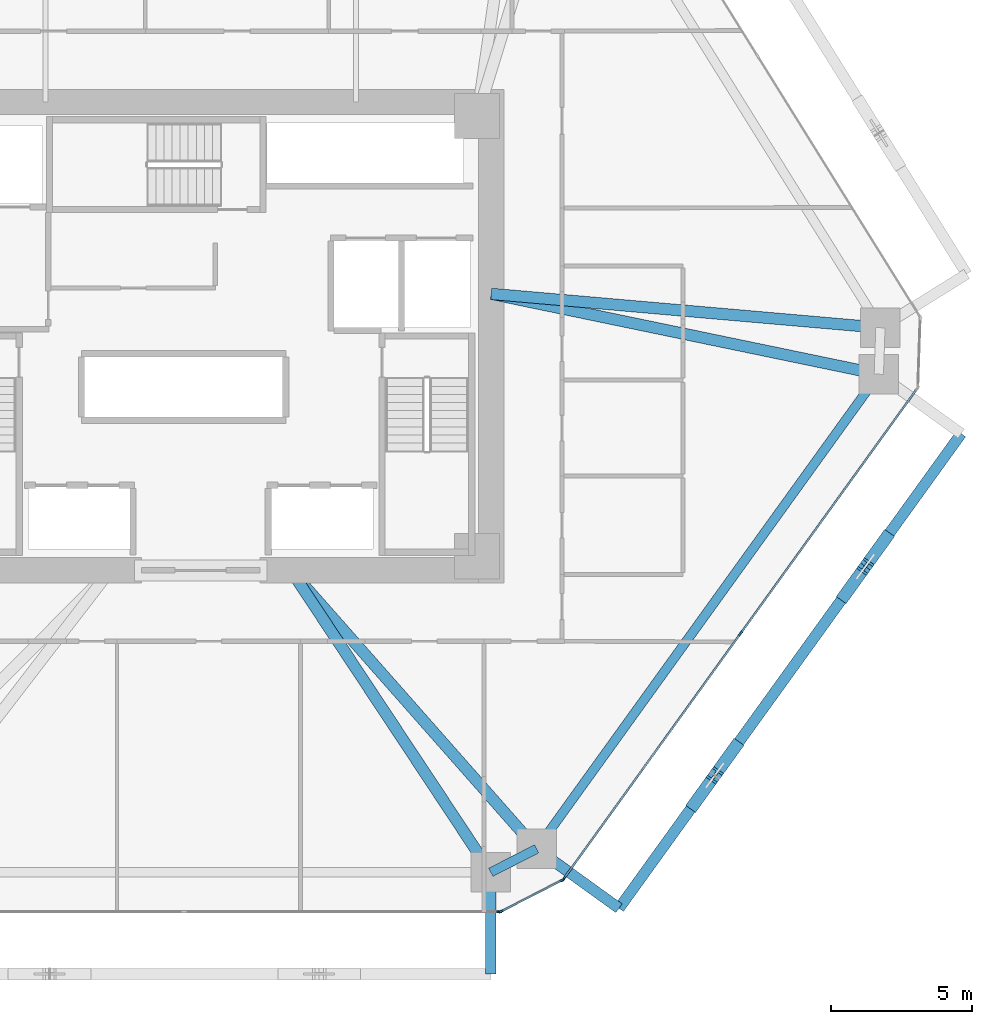
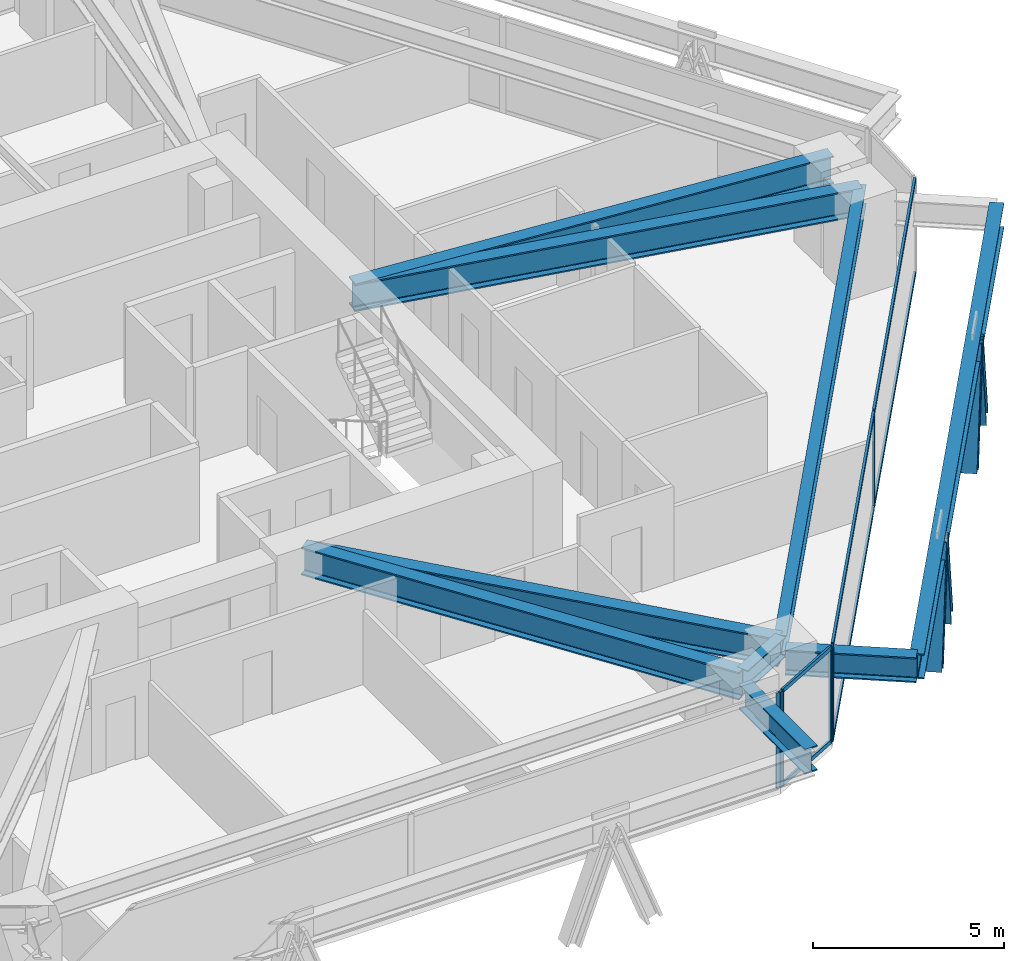
# One storey, part 5 of 17: 15 members, 9 beams, 3 elements without a shape of their own.
"""IFC4 building model written with IfcOpenShell, lengths in metres."""

from ifc_helpers import new_model, si_unit, direction, frame, origin, origin_2d, place, context, subcontext, project, spatial, rectangle, i_section, extrude, source, transform, mapped, material, layer, layer_set, material_profile, profile_set, type_object, type_shapes, element, aggregate, save


model = new_model("IFC4")

# Units and contexts
model_context = context("Model", 3, precision=1e-05, world=origin(), true_north=direction((0.0, 1.0)))
body_context = subcontext(model_context, "Body", "Model", "MODEL_VIEW")
ifc_project = project(units=[si_unit("LENGTHUNIT", "METRE"), si_unit("AREAUNIT", "SQUARE_METRE"), si_unit("VOLUMEUNIT", "CUBIC_METRE"), si_unit("PLANEANGLEUNIT", "RADIAN"), si_unit("MASSUNIT", "GRAM", prefix="KILO")], contexts=[model_context])

# Site, building, storey
site_placement = place(None, origin())
site = spatial("IfcSite", under=ifc_project, at=site_placement, CompositionType="ELEMENT")
building_placement = place(site_placement, origin())
building = spatial("IfcBuilding", under=site, at=building_placement, Name="Durnholm Broadcast Tower", CompositionType="ELEMENT")
storey_placement = place(building_placement, frame((0.0, 0.0, 45.60009765625)))
storey = spatial("IfcBuildingStorey", under=building, at=storey_placement, Name="L10", CompositionType="ELEMENT", Elevation=45.60009765625)

# Beams
ifc_material_1 = material(Name="Steel ASTM A992 Grade 50", Category="steel")
ifc_material_profile_1 = material_profile(ifc_material_1, i_section(OverallWidth=0.3291015625, OverallDepth=0.635009765625, WebThickness=0.017822265625, FlangeThickness=0.031005859375, FilletRadius=0.02783203125, at=origin_2d()), Name="W24X162")
ifc_profile_set_1 = profile_set([ifc_material_profile_1], Name="Steel ASTM A992 Grade 50")
beam_type_1 = type_object("IfcBeamType", Name="STL-SP-W24X162", PredefinedType="SPANDREL", material=ifc_profile_set_1)
shared_shape_1 = source(origin(), body_context, "Body", "SweptSolid", [
    extrude(i_section(OverallWidth=0.3291015625, OverallDepth=0.635009765625, WebThickness=0.017822265625, FlangeThickness=0.031005859375, FilletRadius=0.02783203125, at=origin_2d()), origin(), (0.0, 0.0, 1.0), 20.737060546875),
])
beam_1_placement = place(storey_placement, frame((24.034912109375, -1.347412109375, 2.727294921875), z_axis=(-0.584821933191, -0.811161701795, 0.0), x_axis=(0.811161701795, -0.584821933191, 0.0)))
element("IfcBeam", 1, at=beam_1_placement, inside=storey, type_object=beam_type_1, Name="L10 perimeter spandrel girder 09", PredefinedType="SPANDREL", context=body_context, shape_type="MappedRepresentation", body=[
    mapped(shared_shape_1, transform((0.0, 0.0, 0.0), x_axis=(1.0, 0.0, 0.0), y_axis=(0.0, 1.0, 0.0), z_axis=(0.0, 0.0, 1.0), scale=1.0)),
])
shared_shape_2 = source(origin(), body_context, "Body", "SweptSolid", [
    extrude(i_section(OverallWidth=0.3291015625, OverallDepth=0.635009765625, WebThickness=0.017822265625, FlangeThickness=0.031005859375, FilletRadius=0.02783203125, at=origin_2d()), origin(), (0.0, 0.0, 1.0), 1.8251953125),
])
type_shapes(beam_type_1, [shared_shape_1, shared_shape_2])
beam_2_placement = place(storey_placement, frame((11.907470703125, -18.16845703125, 2.727294921875), z_axis=(-0.890187609501, -0.455594139438, 0.0), x_axis=(0.455594139438, -0.890187609501, 0.0)))
element("IfcBeam", 2, at=beam_2_placement, inside=storey, type_object=beam_type_1, Name="L10 perimeter spandrel girder 10", PredefinedType="SPANDREL", context=body_context, shape_type="MappedRepresentation", body=[
    mapped(shared_shape_2, transform((0.0, 0.0, 0.0), x_axis=(1.0, 0.0, 0.0), y_axis=(0.0, 1.0, 0.0), z_axis=(0.0, 0.0, 1.0), scale=1.0)),
])
ifc_material_profile_2 = material_profile(ifc_material_1, i_section(OverallWidth=0.404052734375, OverallDepth=0.885009765625, WebThickness=0.0244140625, FlangeThickness=0.0439453125, FilletRadius=0.03564453125, at=origin_2d()), Name="W33X291")
ifc_profile_set_2 = profile_set([ifc_material_profile_2], Name="Steel ASTM A992 Grade 50")
beam_type_2 = type_object("IfcBeamType", Name="STL-GR-W33X291", PredefinedType="USERDEFINED", material=ifc_profile_set_2)
shared_shape_3 = source(origin(), body_context, "Body", "SweptSolid", [
    extrude(i_section(OverallWidth=0.404052734375, OverallDepth=0.885009765625, WebThickness=0.0244140625, FlangeThickness=0.0439453125, FilletRadius=0.03564453125, at=origin_2d()), origin(), (0.0, 0.0, 1.0), 13.843017578125),
])
beam_3_placement = place(storey_placement, frame((10.300048828125, 1.5, 2.602294921875), z_axis=(0.996234364864, -0.086701154915, 0.0), x_axis=(0.086701154915, 0.996234364864, 0.0)))
element("IfcBeam", 3, at=beam_3_placement, inside=storey, type_object=beam_type_2, Name="L10 radial primary floor girder 08", ObjectType="GIRDER", PredefinedType="USERDEFINED", context=body_context, shape_type="MappedRepresentation", body=[
    mapped(shared_shape_3, transform((0.0, 0.0, 0.0), x_axis=(1.0, 0.0, 0.0), y_axis=(0.0, 1.0, 0.0), z_axis=(0.0, 0.0, 1.0), scale=1.0)),
])
shared_shape_4 = source(origin(), body_context, "Body", "SweptSolid", [
    extrude(i_section(OverallWidth=0.404052734375, OverallDepth=0.885009765625, WebThickness=0.0244140625, FlangeThickness=0.0439453125, FilletRadius=0.03564453125, at=origin_2d()), origin(), (0.0, 0.0, 1.0), 14.02685546875),
])
beam_4_placement = place(storey_placement, frame((10.300048828125, 1.5, 2.602294921875), z_axis=(0.979179487914, -0.202996380382, 0.0), x_axis=(0.202996380382, 0.979179487914, 0.0)))
element("IfcBeam", 4, at=beam_4_placement, inside=storey, type_object=beam_type_2, Name="L10 radial primary floor girder 09", ObjectType="GIRDER", PredefinedType="USERDEFINED", context=body_context, shape_type="MappedRepresentation", body=[
    mapped(shared_shape_4, transform((0.0, 0.0, 0.0), x_axis=(1.0, 0.0, 0.0), y_axis=(0.0, 1.0, 0.0), z_axis=(0.0, 0.0, 1.0), scale=1.0)),
])
shared_shape_5 = source(origin(), body_context, "Body", "SweptSolid", [
    extrude(i_section(OverallWidth=0.404052734375, OverallDepth=0.885009765625, WebThickness=0.0244140625, FlangeThickness=0.0439453125, FilletRadius=0.03564453125, at=origin_2d()), origin(), (0.0, 0.0, 1.0), 13.160888671875),
])
beam_5_placement = place(storey_placement, frame((3.199951171875, -8.300048828125, 2.602294921875), z_axis=(0.661625931866, -0.749834065832, 0.0), x_axis=(0.749834065832, 0.661625931866, 0.0)))
element("IfcBeam", 5, at=beam_5_placement, inside=storey, type_object=beam_type_2, Name="L10 radial primary floor girder 10", ObjectType="GIRDER", PredefinedType="USERDEFINED", context=body_context, shape_type="MappedRepresentation", body=[
    mapped(shared_shape_5, transform((0.0, 0.0, 0.0), x_axis=(1.0, 0.0, 0.0), y_axis=(0.0, 1.0, 0.0), z_axis=(0.0, 0.0, 1.0), scale=1.0)),
])
shared_shape_6 = source(origin(), body_context, "Body", "SweptSolid", [
    extrude(i_section(OverallWidth=0.404052734375, OverallDepth=0.885009765625, WebThickness=0.0244140625, FlangeThickness=0.0439453125, FilletRadius=0.03564453125, at=origin_2d()), origin(), (0.0, 0.0, 1.0), 12.831787109375),
])
type_shapes(beam_type_2, [shared_shape_3, shared_shape_4, shared_shape_5, shared_shape_6])
beam_6_placement = place(storey_placement, frame((3.199951171875, -8.300048828125, 2.602294921875), z_axis=(0.551970609544, -0.833863565699, 0.0), x_axis=(0.833863565699, 0.551970609544, 0.0)))
element("IfcBeam", 6, at=beam_6_placement, inside=storey, type_object=beam_type_2, Name="L10 radial primary floor girder 11", ObjectType="GIRDER", PredefinedType="USERDEFINED", context=body_context, shape_type="MappedRepresentation", body=[
    mapped(shared_shape_6, transform((0.0, 0.0, 0.0), x_axis=(1.0, 0.0, 0.0), y_axis=(0.0, 1.0, 0.0), z_axis=(0.0, 0.0, 1.0), scale=1.0)),
])
ifc_material_profile_3 = material_profile(ifc_material_1, i_section(OverallWidth=0.385009765625, OverallDepth=0.802978515625, WebThickness=0.023681640625, FlangeThickness=0.0419921875, FilletRadius=0.032958984375, at=origin_2d()), Name="W30X261")
ifc_profile_set_3 = profile_set([ifc_material_profile_3], Name="Steel ASTM A992 Grade 50")
beam_type_3 = type_object("IfcBeamType", Name="BM-EXO-TIE", PredefinedType="USERDEFINED", material=ifc_profile_set_3)
shared_shape_7 = source(origin(), body_context, "Body", "SweptSolid", [
    extrude(i_section(OverallWidth=0.385009765625, OverallDepth=0.802978515625, WebThickness=0.023681640625, FlangeThickness=0.0419921875, FilletRadius=0.032958984375, at=origin_2d()), origin(), (0.0, 0.0, 1.0), 3.4560546875),
])
for number, where, z_axis, x_axis, name in (
    (7, (10.28271484375, -19.14404296875, 2.308349609375), (0.0, -1.0, 0.0), (1.0, 0.0, 0.0), "L10 exoskeleton stand-off tie bracket F1.2"),
    (8, (12.024169921875, -18.252685546875, 2.308349609375), (0.811157675106, -0.584827518262, 0.0), (0.584827518262, 0.811157675106, 0.0), "L10 exoskeleton stand-off tie bracket F2.1"),
):
    element("IfcBeam", number, at=place(storey_placement, frame(where, z_axis=z_axis, x_axis=x_axis)), inside=storey, type_object=beam_type_3, Name=name, ObjectType="GIRDER", PredefinedType="USERDEFINED", context=body_context, shape_type="MappedRepresentation", body=[
        mapped(shared_shape_7, transform((0.0, 0.0, 0.0), x_axis=(1.0, 0.0, 0.0), y_axis=(0.0, 1.0, 0.0), z_axis=(0.0, 0.0, 1.0), scale=1.0)),
    ])
shared_shape_8 = source(origin(), body_context, "Body", "SweptSolid", [
    extrude(i_section(OverallWidth=0.385009765625, OverallDepth=0.802978515625, WebThickness=0.023681640625, FlangeThickness=0.0419921875, FilletRadius=0.032958984375, at=origin_2d()), origin(), (0.0, 0.0, 1.0), 20.737060546875),
])
type_shapes(beam_type_3, [shared_shape_7, shared_shape_8])
beam_7_placement = place(storey_placement, frame((14.82763671875, -20.27392578125, 2.308349609375), z_axis=(0.5848163482, 0.811165728368, 0.0), x_axis=(-0.811165728368, 0.5848163482, 0.0)))
element("IfcBeam", 9, at=beam_7_placement, inside=storey, type_object=beam_type_3, Name="L10 exoskeleton collector spandrel F2", PredefinedType="SPANDREL", context=body_context, shape_type="MappedRepresentation", body=[
    mapped(shared_shape_8, transform((0.0, 0.0, 0.0), x_axis=(1.0, 0.0, 0.0), y_axis=(0.0, 1.0, 0.0), z_axis=(0.0, 0.0, 1.0), scale=1.0)),
])

# Members
ifc_material_2 = material(Name="Steel ASTM A913 Grade 65", Category="steel")
ifc_material_profile_4 = material_profile(ifc_material_2, i_section(OverallWidth=0.43212890625, OverallDepth=0.497802734375, WebThickness=0.0556640625, FlangeThickness=0.0888671875, FilletRadius=0.030517578125, at=origin_2d()), Name="W14X500")
ifc_profile_set_4 = profile_set([ifc_material_profile_4], Name="Steel ASTM A913 Grade 65")
member_type_1 = type_object("IfcMemberType", Name="STL-DG-W14X500", PredefinedType="BRACE", material=ifc_profile_set_4)
shared_shape_9 = source(origin(), body_context, "Body", "SweptSolid", [
    extrude(i_section(OverallWidth=0.43212890625, OverallDepth=0.497802734375, WebThickness=0.0556640625, FlangeThickness=0.0888671875, FilletRadius=0.030517578125, at=origin_2d()), origin(), (0.0, 0.0, 1.0), 3.52294921875),
])
type_shapes(member_type_1, [shared_shape_9])
for number, where, z_axis, x_axis, name in (
    (10, (17.501708984375, -16.564697265625, -0.991455078125), (0.204852434815, 0.28406296695, 0.936666275019), (-0.81109123444, 0.58491966065, 0.0), "L10 stand-off diagrid brace F2.D1.1"),
    (11, (18.94482421875, -14.563232421875, -0.991455078125), (-0.204786041012, -0.284066999022, 0.93667957033), (0.811185111535, -0.584789461963, 0.0), "L10 stand-off diagrid brace F2.D1.2"),
    (12, (22.837890625, -9.163330078125, -0.991455078125), (0.204852434815, 0.28406296695, 0.936666275019), (-0.81109123444, 0.58491966065, 0.0), "L10 stand-off diagrid brace F2.D2.1"),
    (13, (24.281005859375, -7.161865234375, -0.991455078125), (-0.204786041012, -0.284066999022, 0.93667957033), (0.811185111535, -0.584789461963, 0.0), "L10 stand-off diagrid brace F2.D2.2"),
):
    element("IfcMember", number, at=place(storey_placement, frame(where, z_axis=z_axis, x_axis=x_axis)), inside=storey, type_object=member_type_1, Name=name, PredefinedType="BRACE", context=body_context, shape_type="MappedRepresentation", body=[
        mapped(shared_shape_9, transform((0.0, 0.0, 0.0), x_axis=(1.0, 0.0, 0.0), y_axis=(0.0, 1.0, 0.0), z_axis=(0.0, 0.0, 1.0), scale=1.0)),
    ])

# Curtain wall, members
ifc_material_3 = material(Name="Aluminium and Solar Control IGU", Category="aluminium")
ifc_layer_1 = layer(ifc_material_3, 0.1650390625)
ifc_layer_set_1 = layer_set([ifc_layer_1], Name="Aluminium and Solar Control IGU")
curtain_wall_type_1 = type_object("IfcCurtainWallType", Name="CW-SYS-5", PredefinedType="NOTDEFINED", material=ifc_layer_set_1)
curtain_wall_1_placement = place(storey_placement, origin())
curtain_wall_1 = element("IfcCurtainWall", 14, at=curtain_wall_1_placement, inside=storey, type_object=curtain_wall_type_1, Name="L10 curtain wall CW-CORNER CW-L10-CRN-09", PredefinedType="NOTDEFINED")
ifc_material_4 = material(Name="Aluminium 6063-T6", Category="aluminium")
ifc_material_profile_5 = material_profile(ifc_material_4, rectangle(XDim=0.06494140625, YDim=0.1298828125, at=origin_2d()), Name="CWT65X130")
ifc_profile_set_5 = profile_set([ifc_material_profile_5], Name="Aluminium 6063-T6")
member_type_2 = type_object("IfcMemberType", Name="CW-SYS-5-TRN", PredefinedType="USERDEFINED", material=ifc_profile_set_5)
shared_shape_10 = source(origin(), body_context, "Body", "SweptSolid", [
    extrude(rectangle(XDim=0.06494140625, YDim=0.1298828125, at=origin_2d()), origin(), (0.0, 0.0, 1.0), 2.3701171875),
])
type_shapes(member_type_2, [shared_shape_10])
member_1_placement = place(storey_placement, frame((12.787841796875, -19.29052734375, 0.032470703125), z_axis=(-0.890185016934, -0.455599205033, 0.0), x_axis=(0.455599205033, -0.890185016934, 0.0)))
member_1 = element("IfcMember", 15, at=member_1_placement, type_object=member_type_2, Name="CW-CORNER transom 1.1", ObjectType="TRANSOM", PredefinedType="USERDEFINED", context=body_context, shape_type="MappedRepresentation", body=[
    mapped(shared_shape_10, transform((0.0, 0.0, 0.0), x_axis=(1.0, 0.0, 0.0), y_axis=(0.0, 1.0, 0.0), z_axis=(0.0, 0.0, 1.0), scale=1.0)),
])
member_2_placement = place(storey_placement, frame((12.787841796875, -19.29052734375, 3.02734375), z_axis=(-0.890185016934, -0.455599205033, 0.0), x_axis=(0.455599205033, -0.890185016934, 0.0)))
member_2 = element("IfcMember", 16, at=member_2_placement, type_object=member_type_2, Name="CW-CORNER transom 1.2", ObjectType="TRANSOM", PredefinedType="USERDEFINED", context=body_context, shape_type="MappedRepresentation", body=[
    mapped(shared_shape_10, transform((0.0, 0.0, 0.0), x_axis=(1.0, 0.0, 0.0), y_axis=(0.0, 1.0, 0.0), z_axis=(0.0, 0.0, 1.0), scale=1.0)),
])

ifc_layer_2 = layer(ifc_material_3, 0.18994140625)
ifc_layer_set_2 = layer_set([ifc_layer_2], Name="Aluminium and Solar Control IGU")
curtain_wall_type_2 = type_object("IfcCurtainWallType", Name="CW-SYS-3", PredefinedType="NOTDEFINED", material=ifc_layer_set_2)
curtain_wall_2_placement = place(storey_placement, origin())
curtain_wall_2 = element("IfcCurtainWall", 17, at=curtain_wall_2_placement, inside=storey, type_object=curtain_wall_type_2, Name="L10 curtain wall CW-Z12-VIS CW-L10-F08", PredefinedType="NOTDEFINED")
ifc_material_profile_6 = material_profile(ifc_material_4, rectangle(XDim=0.070068359375, YDim=0.14990234375, at=origin_2d()), Name="CWT70X150")
ifc_profile_set_6 = profile_set([ifc_material_profile_6], Name="Aluminium 6063-T6")
member_type_3 = type_object("IfcMemberType", Name="CW-SYS-3-TRN", PredefinedType="USERDEFINED", material=ifc_profile_set_6)
shared_shape_11 = source(origin(), body_context, "Body", "SweptSolid", [
    extrude(rectangle(XDim=0.070068359375, YDim=0.14990234375, at=origin_2d()), origin(), (0.0, 0.0, 1.0), 10.6455078125),
])
member_3_placement = place(storey_placement, frame((25.37890625, -1.877197265625, 0.034912109375), z_axis=(-0.584812103659, -0.811168788486, 0.0), x_axis=(0.811168788486, -0.584812103659, 0.0)))
member_3 = element("IfcMember", 18, at=member_3_placement, type_object=member_type_3, Name="CW-Z12-VIS transom 1.1", ObjectType="TRANSOM", PredefinedType="USERDEFINED", context=body_context, shape_type="MappedRepresentation", body=[
    mapped(shared_shape_11, transform((0.0, 0.0, 0.0), x_axis=(1.0, 0.0, 0.0), y_axis=(0.0, 1.0, 0.0), z_axis=(0.0, 0.0, 1.0), scale=1.0)),
])
member_4_placement = place(storey_placement, frame((25.37890625, -1.877197265625, 3.02490234375), z_axis=(-0.584812103659, -0.811168788486, 0.0), x_axis=(0.811168788486, -0.584812103659, 0.0)))
member_4 = element("IfcMember", 19, at=member_4_placement, type_object=member_type_3, Name="CW-Z12-VIS transom 1.2", ObjectType="TRANSOM", PredefinedType="USERDEFINED", context=body_context, shape_type="MappedRepresentation", body=[
    mapped(shared_shape_11, transform((0.0, 0.0, 0.0), x_axis=(1.0, 0.0, 0.0), y_axis=(0.0, 1.0, 0.0), z_axis=(0.0, 0.0, 1.0), scale=1.0)),
])
shared_shape_12 = source(origin(), body_context, "Body", "SweptSolid", [
    extrude(rectangle(XDim=0.070068359375, YDim=0.14990234375, at=origin_2d()), origin(), (0.0, 0.0, 1.0), 10.645263671875),
])
type_shapes(member_type_3, [shared_shape_11, shared_shape_12])
member_5_placement = place(storey_placement, frame((19.1123046875, -10.569091796875, 0.034912109375), z_axis=(-0.584822983179, -0.811160944786, 0.0), x_axis=(0.811160944786, -0.584822983179, 0.0)))
member_5 = element("IfcMember", 20, at=member_5_placement, type_object=member_type_3, Name="CW-Z12-VIS transom 2.1", ObjectType="TRANSOM", PredefinedType="USERDEFINED", context=body_context, shape_type="MappedRepresentation", body=[
    mapped(shared_shape_12, transform((0.0, 0.0, 0.0), x_axis=(1.0, 0.0, 0.0), y_axis=(0.0, 1.0, 0.0), z_axis=(0.0, 0.0, 1.0), scale=1.0)),
])
member_6_placement = place(storey_placement, frame((19.1123046875, -10.569091796875, 3.02490234375), z_axis=(-0.584822983179, -0.811160944786, 0.0), x_axis=(0.811160944786, -0.584822983179, 0.0)))
member_6 = element("IfcMember", 21, at=member_6_placement, type_object=member_type_3, Name="CW-Z12-VIS transom 2.2", ObjectType="TRANSOM", PredefinedType="USERDEFINED", context=body_context, shape_type="MappedRepresentation", body=[
    mapped(shared_shape_12, transform((0.0, 0.0, 0.0), x_axis=(1.0, 0.0, 0.0), y_axis=(0.0, 1.0, 0.0), z_axis=(0.0, 0.0, 1.0), scale=1.0)),
])

# Member
ifc_material_profile_7 = material_profile(ifc_material_4, rectangle(XDim=0.06494140625, YDim=0.1650390625, at=origin_2d()), Name="CWM65X165")
ifc_profile_set_7 = profile_set([ifc_material_profile_7], Name="Aluminium 6063-T6")
member_type_4 = type_object("IfcMemberType", Name="CW-SYS-5-MUL", PredefinedType="MULLION", material=ifc_profile_set_7)
shared_shape_13 = source(origin(), body_context, "Body", "SweptSolid", [
    extrude(rectangle(XDim=0.06494140625, YDim=0.1650390625, at=origin_2d()), origin(), (0.0, 0.0, 1.0), 3.059814453125),
])
type_shapes(member_type_4, [shared_shape_13])
member_7_placement = place(storey_placement, frame((12.816650390625, -19.27587890625, 0.0), z_axis=(0.0, 0.0, 1.0), x_axis=(0.455593758406, -0.890187804512, 0.0)))
member_7 = element("IfcMember", 22, at=member_7_placement, type_object=member_type_4, Name="CW-CORNER mullion 1", PredefinedType="MULLION", context=body_context, shape_type="MappedRepresentation", body=[
    mapped(shared_shape_13, transform((0.0, 0.0, 0.0), x_axis=(1.0, 0.0, 0.0), y_axis=(0.0, 1.0, 0.0), z_axis=(0.0, 0.0, 1.0), scale=1.0)),
])

member_8_placement = place(storey_placement, frame((10.649169921875, -20.38525390625, 0.0), z_axis=(0.0, 0.0, 1.0), x_axis=(0.455593758406, -0.890187804512, 0.0)))
member_8 = element("IfcMember", 23, at=member_8_placement, type_object=member_type_4, Name="CW-CORNER mullion 2", PredefinedType="MULLION", context=body_context, shape_type="MappedRepresentation", body=[
    mapped(shared_shape_13, transform((0.0, 0.0, 0.0), x_axis=(1.0, 0.0, 0.0), y_axis=(0.0, 1.0, 0.0), z_axis=(0.0, 0.0, 1.0), scale=1.0)),
])

aggregate(curtain_wall_1, [member_7, member_8, member_1, member_2])

ifc_material_profile_8 = material_profile(ifc_material_4, rectangle(XDim=0.070068359375, YDim=0.18994140625, at=origin_2d()), Name="CWM70X190")
ifc_profile_set_8 = profile_set([ifc_material_profile_8], Name="Aluminium 6063-T6")
member_type_5 = type_object("IfcMemberType", Name="CW-SYS-3-MUL", PredefinedType="MULLION", material=ifc_profile_set_8)
shared_shape_14 = source(origin(), body_context, "Body", "SweptSolid", [
    extrude(rectangle(XDim=0.070068359375, YDim=0.18994140625, at=origin_2d()), origin(), (0.0, 0.0, 1.0), 3.059814453125),
])
type_shapes(member_type_5, [shared_shape_14])
member_9_placement = place(storey_placement, frame((19.1328125, -10.540771484375, 0.0), z_axis=(0.0, 0.0, 1.0), x_axis=(0.81116057493, -0.584823496176, 0.0)))
member_9 = element("IfcMember", 24, at=member_9_placement, type_object=member_type_5, Name="CW-Z12-VIS mullion 2", PredefinedType="MULLION", context=body_context, shape_type="MappedRepresentation", body=[
    mapped(shared_shape_14, transform((0.0, 0.0, 0.0), x_axis=(1.0, 0.0, 0.0), y_axis=(0.0, 1.0, 0.0), z_axis=(0.0, 0.0, 1.0), scale=1.0)),
])

member_10_placement = place(storey_placement, frame((12.8662109375, -19.232666015625, 0.0), z_axis=(0.0, 0.0, 1.0), x_axis=(0.81116057493, -0.584823496176, 0.0)))
member_10 = element("IfcMember", 25, at=member_10_placement, type_object=member_type_5, Name="CW-Z12-VIS mullion 3", PredefinedType="MULLION", context=body_context, shape_type="MappedRepresentation", body=[
    mapped(shared_shape_14, transform((0.0, 0.0, 0.0), x_axis=(1.0, 0.0, 0.0), y_axis=(0.0, 1.0, 0.0), z_axis=(0.0, 0.0, 1.0), scale=1.0)),
])

aggregate(curtain_wall_2, [member_9, member_10, member_3, member_4, member_5, member_6])

# Curtain wall, member
curtain_wall_3_placement = place(storey_placement, origin())
curtain_wall_3 = element("IfcCurtainWall", 26, at=curtain_wall_3_placement, inside=storey, type_object=curtain_wall_type_2, Name="L10 curtain wall CW-Z12-VIS CW-L10-F10", PredefinedType="NOTDEFINED")
member_11_placement = place(storey_placement, frame((10.585205078125, -20.39990234375, 0.0), z_axis=(0.0, 0.0, 1.0), x_axis=(0.0, -1.0, 0.0)))
member_11 = element("IfcMember", 27, at=member_11_placement, type_object=member_type_5, Name="CW-Z12-VIS mullion 1", PredefinedType="MULLION", context=body_context, shape_type="MappedRepresentation", body=[
    mapped(shared_shape_14, transform((0.0, 0.0, 0.0), x_axis=(1.0, 0.0, 0.0), y_axis=(0.0, 1.0, 0.0), z_axis=(0.0, 0.0, 1.0), scale=1.0)),
])
aggregate(curtain_wall_3, [member_11])

save(model, "model.ifc")
